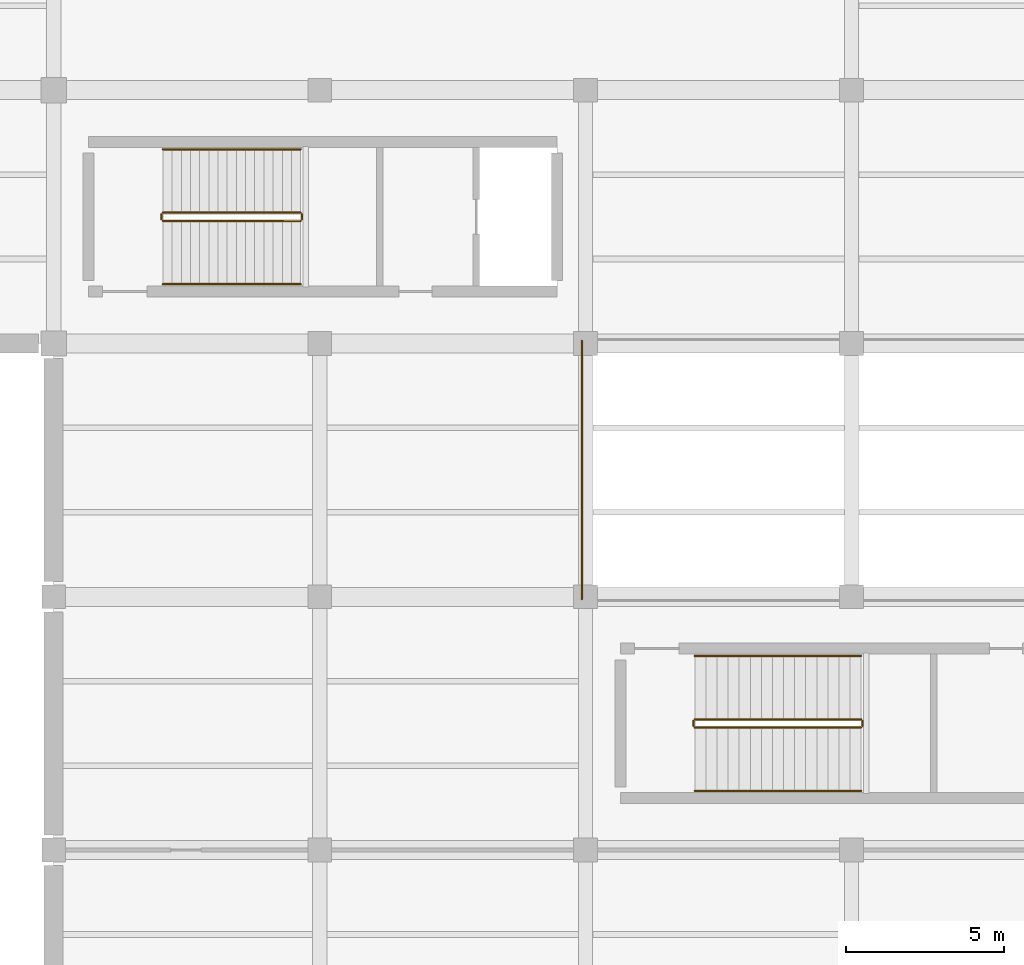
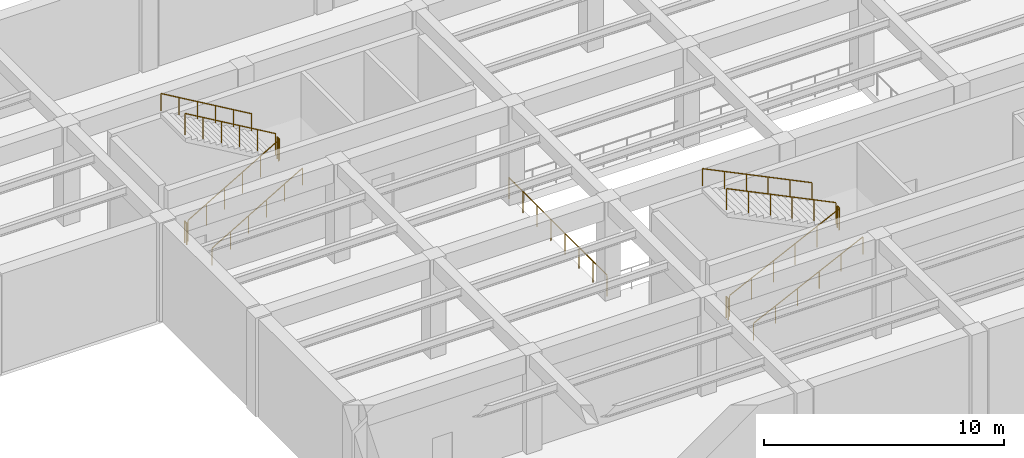
# One storey, part 11 of 16: 13 railings.
"""IFC4 building model written with IfcOpenShell, lengths in metres."""

from ifc_helpers import new_model, si_unit, direction, frame, origin, origin_2d, place, context, subcontext, project, spatial, circle, extrude, material, type_object, element, save


model = new_model("IFC4")

# Units and contexts
model_context = context("Model", 3, precision=1e-05, world=origin(), true_north=direction((0.0, 1.0)))
body_context = subcontext(model_context, "Body", "Model", "MODEL_VIEW")
ifc_project = project(units=[si_unit("LENGTHUNIT", "METRE"), si_unit("AREAUNIT", "SQUARE_METRE"), si_unit("VOLUMEUNIT", "CUBIC_METRE"), si_unit("PLANEANGLEUNIT", "RADIAN"), si_unit("MASSUNIT", "GRAM", prefix="KILO")], contexts=[model_context])

# Site, building, storey
site_placement = place(None, origin())
site = spatial("IfcSite", under=ifc_project, at=site_placement, CompositionType="ELEMENT")
building_placement = place(site_placement, origin())
building = spatial("IfcBuilding", under=site, at=building_placement, Name="Kranzveld Transit Interchange", CompositionType="ELEMENT")
storey_placement = place(building_placement, frame((0.0, 0.0, -5.43994140625)))
storey = spatial("IfcBuildingStorey", under=building, at=storey_placement, Name="B1", CompositionType="ELEMENT", Elevation=-5.43994140625)

# Railings
ifc_material_1 = material(Name="Steel S355JR", Category="steel")
railing_type_1 = type_object("IfcRailingType", Name="Atrium Void Guardrail 1100", PredefinedType="GUARDRAIL", material=ifc_material_1)
railing_1_placement = place(storey_placement, frame((50.280029296875, 48.080078125, 0.0)))
element("IfcRailing", 1, at=railing_1_placement, inside=storey, type_object=railing_type_1, Name="B1 Atrium Void Guardrail VOID_B1_METRO_W-15", PredefinedType="GUARDRAIL", context=body_context, shape_type="SweptSolid", body=[
    extrude(circle(Radius=0.02392578125, at=origin_2d()), frame((0.0, 0.0, 1.076171875), z_axis=(0.0, -1.0, 0.0), x_axis=(1.0, 0.0, 0.0)), (0.0, 0.0, 1.0), 8.16015625),
    extrude(circle(Radius=0.02099609375, at=origin_2d()), origin(), (0.0, 0.0, 1.0), 1.050048828125),
    extrude(circle(Radius=0.02099609375, at=origin_2d()), frame((0.0, -1.165771484375, 0.0)), (0.0, 0.0, 1.0), 1.050048828125),
    extrude(circle(Radius=0.02099609375, at=origin_2d()), frame((0.0, -2.33154296875, 0.0)), (0.0, 0.0, 1.0), 1.050048828125),
    extrude(circle(Radius=0.02099609375, at=origin_2d()), frame((0.0, -3.497314453125, 0.0)), (0.0, 0.0, 1.0), 1.050048828125),
    extrude(circle(Radius=0.02099609375, at=origin_2d()), frame((0.0, -4.662841796875, 0.0)), (0.0, 0.0, 1.0), 1.050048828125),
    extrude(circle(Radius=0.02099609375, at=origin_2d()), frame((0.0, -5.82861328125, 0.0)), (0.0, 0.0, 1.0), 1.050048828125),
    extrude(circle(Radius=0.02099609375, at=origin_2d()), frame((0.0, -6.994384765625, 0.0)), (0.0, 0.0, 1.0), 1.050048828125),
    extrude(circle(Radius=0.02099609375, at=origin_2d()), frame((0.0, -8.16015625, 0.0)), (0.0, 0.0, 1.0), 1.050048828125),
])
ifc_material_2 = material(Name="Steel S355JR", Category="steel")
railing_type_2 = type_object("IfcRailingType", Name="Stair & Ramp Handrail Steel 900", PredefinedType="HANDRAIL", material=ifc_material_2)
railing_2_placement = place(storey_placement, frame((37.050048828125, 49.8701171875, 0.169921875)))
element("IfcRailing", 2, at=railing_2_placement, inside=storey, type_object=railing_type_2, Name="B1 ST-M1 stair handrail 1", PredefinedType="HANDRAIL", context=body_context, shape_type="SweptSolid", body=[
    extrude(circle(Radius=0.02392578125, at=origin_2d()), frame((0.0, 0.0, 0.8759765625), z_axis=(0.862686314962, 0.0, 0.505739381477), x_axis=(0.0, 1.0, 0.0)), (0.0, 0.0, 1.0), 5.042236328125),
    extrude(circle(Radius=0.02099609375, at=origin_2d()), origin(), (0.0, 0.0, 1.0), 0.849853515625),
    extrude(circle(Radius=0.02099609375, at=origin_2d()), frame((0.869873046875, 0.0, 0.510009765625)), (0.0, 0.0, 1.0), 0.849853515625),
    extrude(circle(Radius=0.02099609375, at=origin_2d()), frame((1.739990234375, 0.0, 1.02001953125)), (0.0, 0.0, 1.0), 0.849853515625),
    extrude(circle(Radius=0.02099609375, at=origin_2d()), frame((2.60986328125, 0.0, 1.530029296875)), (0.0, 0.0, 1.0), 0.849853515625),
    extrude(circle(Radius=0.02099609375, at=origin_2d()), frame((3.47998046875, 0.0, 2.0400390625)), (0.0, 0.0, 1.0), 0.849853515625),
    extrude(circle(Radius=0.02099609375, at=origin_2d()), frame((4.349853515625, 0.0, 2.550048828125)), (0.0, 0.0, 1.0), 0.849853515625),
])
railing_3_placement = place(storey_placement, frame((41.39990234375, 54.1298828125, 2.889892578125)))
element("IfcRailing", 3, at=railing_3_placement, inside=storey, type_object=railing_type_2, Name="B1 ST-M1 stair handrail 2", PredefinedType="HANDRAIL", context=body_context, shape_type="SweptSolid", body=[
    extrude(circle(Radius=0.02392578125, at=origin_2d()), frame((0.0, 0.0, 0.8759765625), z_axis=(-0.862686314962, 0.0, 0.505739381477), x_axis=(0.0, -1.0, 0.0)), (0.0, 0.0, 1.0), 5.042236328125),
    extrude(circle(Radius=0.02099609375, at=origin_2d()), origin(), (0.0, 0.0, 1.0), 0.849853515625),
    extrude(circle(Radius=0.02099609375, at=origin_2d()), frame((-0.869873046875, 0.0, 0.510009765625)), (0.0, 0.0, 1.0), 0.849853515625),
    extrude(circle(Radius=0.02099609375, at=origin_2d()), frame((-1.739990234375, 0.0, 1.02001953125)), (0.0, 0.0, 1.0), 0.849853515625),
    extrude(circle(Radius=0.02099609375, at=origin_2d()), frame((-2.60986328125, 0.0, 1.530029296875)), (0.0, 0.0, 1.0), 0.849853515625),
    extrude(circle(Radius=0.02099609375, at=origin_2d()), frame((-3.47998046875, 0.0, 2.0400390625)), (0.0, 0.0, 1.0), 0.849853515625),
    extrude(circle(Radius=0.02099609375, at=origin_2d()), frame((-4.349853515625, 0.0, 2.550048828125)), (0.0, 0.0, 1.0), 0.849853515625),
])
railing_4_placement = place(storey_placement, frame((53.85009765625, 33.8701171875, 0.169921875)))
element("IfcRailing", 4, at=railing_4_placement, inside=storey, type_object=railing_type_2, Name="B1 ST-M2 stair handrail 1", PredefinedType="HANDRAIL", context=body_context, shape_type="SweptSolid", body=[
    extrude(circle(Radius=0.02392578125, at=origin_2d()), frame((0.0, 0.0, 0.8759765625), z_axis=(0.899504870751, 0.0, 0.436910731724), x_axis=(0.0, 1.0, 0.0)), (0.0, 0.0, 1.0), 5.83642578125),
    extrude(circle(Radius=0.02099609375, at=origin_2d()), origin(), (0.0, 0.0, 1.0), 0.849853515625),
    extrude(circle(Radius=0.02099609375, at=origin_2d()), frame((1.050048828125, 0.0, 0.510009765625)), (0.0, 0.0, 1.0), 0.849853515625),
    extrude(circle(Radius=0.02099609375, at=origin_2d()), frame((2.10009765625, 0.0, 1.02001953125)), (0.0, 0.0, 1.0), 0.849853515625),
    extrude(circle(Radius=0.02099609375, at=origin_2d()), frame((3.14990234375, 0.0, 1.530029296875)), (0.0, 0.0, 1.0), 0.849853515625),
    extrude(circle(Radius=0.02099609375, at=origin_2d()), frame((4.199951171875, 0.0, 2.0400390625)), (0.0, 0.0, 1.0), 0.849853515625),
    extrude(circle(Radius=0.02099609375, at=origin_2d()), frame((5.25, 0.0, 2.550048828125)), (0.0, 0.0, 1.0), 0.849853515625),
])
railing_5_placement = place(storey_placement, frame((59.10009765625, 38.1298828125, 2.889892578125)))
element("IfcRailing", 5, at=railing_5_placement, inside=storey, type_object=railing_type_2, Name="B1 ST-M2 stair handrail 2", PredefinedType="HANDRAIL", context=body_context, shape_type="SweptSolid", body=[
    extrude(circle(Radius=0.02392578125, at=origin_2d()), frame((0.0, 0.0, 0.8759765625), z_axis=(-0.899504870751, 0.0, 0.436910731724), x_axis=(0.0, -1.0, 0.0)), (0.0, 0.0, 1.0), 5.83642578125),
    extrude(circle(Radius=0.02099609375, at=origin_2d()), origin(), (0.0, 0.0, 1.0), 0.849853515625),
    extrude(circle(Radius=0.02099609375, at=origin_2d()), frame((-1.050048828125, 0.0, 0.510009765625)), (0.0, 0.0, 1.0), 0.849853515625),
    extrude(circle(Radius=0.02099609375, at=origin_2d()), frame((-2.10009765625, 0.0, 1.02001953125)), (0.0, 0.0, 1.0), 0.849853515625),
    extrude(circle(Radius=0.02099609375, at=origin_2d()), frame((-3.14990234375, 0.0, 1.530029296875)), (0.0, 0.0, 1.0), 0.849853515625),
    extrude(circle(Radius=0.02099609375, at=origin_2d()), frame((-4.199951171875, 0.0, 2.0400390625)), (0.0, 0.0, 1.0), 0.849853515625),
    extrude(circle(Radius=0.02099609375, at=origin_2d()), frame((-5.25, 0.0, 2.550048828125)), (0.0, 0.0, 1.0), 0.849853515625),
])
ifc_material_3 = material(Name="Steel S355JR", Category="steel")
railing_type_3 = type_object("IfcRailingType", Name="Stair Well Guardrail Steel 1100", PredefinedType="GUARDRAIL", material=ifc_material_3)
railing_6_placement = place(storey_placement, frame((37.050048828125, 51.8701171875, 0.169921875)))
element("IfcRailing", 6, at=railing_6_placement, inside=storey, type_object=railing_type_3, Name="B1 ST-M1 stair guard 1", PredefinedType="GUARDRAIL", context=body_context, shape_type="SweptSolid", body=[
    extrude(circle(Radius=0.02392578125, at=origin_2d()), frame((0.0, 0.0, 1.076171875), z_axis=(0.862686314962, 0.0, 0.505739381477), x_axis=(0.0, 1.0, 0.0)), (0.0, 0.0, 1.0), 5.042236328125),
    extrude(circle(Radius=0.02099609375, at=origin_2d()), origin(), (0.0, 0.0, 1.0), 1.050048828125),
    extrude(circle(Radius=0.02099609375, at=origin_2d()), frame((0.869873046875, 0.0, 0.510009765625)), (0.0, 0.0, 1.0), 1.050048828125),
    extrude(circle(Radius=0.02099609375, at=origin_2d()), frame((1.739990234375, 0.0, 1.02001953125)), (0.0, 0.0, 1.0), 1.050048828125),
    extrude(circle(Radius=0.02099609375, at=origin_2d()), frame((2.60986328125, 0.0, 1.530029296875)), (0.0, 0.0, 1.0), 1.050048828125),
    extrude(circle(Radius=0.02099609375, at=origin_2d()), frame((3.47998046875, 0.0, 2.0400390625)), (0.0, 0.0, 1.0), 1.050048828125),
    extrude(circle(Radius=0.02099609375, at=origin_2d()), frame((4.349853515625, 0.0, 2.550048828125)), (0.0, 0.0, 1.0), 1.050048828125),
])
railing_7_placement = place(storey_placement, frame((41.449951171875, 51.919921875, 2.719970703125)))
element("IfcRailing", 7, at=railing_7_placement, inside=storey, type_object=railing_type_3, Name="B1 ST-M1 stair guard 2", PredefinedType="GUARDRAIL", context=body_context, shape_type="SweptSolid", body=[
    extrude(circle(Radius=0.02392578125, at=origin_2d()), frame((0.0, 0.0, 1.076171875), z_axis=(0.0, 1.0, 0.0), x_axis=(-1.0, 0.0, 0.0)), (0.0, 0.0, 1.0), 0.16015625),
    extrude(circle(Radius=0.02099609375, at=origin_2d()), origin(), (0.0, 0.0, 1.0), 1.050048828125),
    extrude(circle(Radius=0.02099609375, at=origin_2d()), frame((0.0, 0.16015625, 0.0)), (0.0, 0.0, 1.0), 1.050048828125),
])
railing_8_placement = place(storey_placement, frame((41.39990234375, 52.1298828125, 2.889892578125)))
element("IfcRailing", 8, at=railing_8_placement, inside=storey, type_object=railing_type_3, Name="B1 ST-M1 stair guard 3", PredefinedType="GUARDRAIL", context=body_context, shape_type="SweptSolid", body=[
    extrude(circle(Radius=0.02392578125, at=origin_2d()), frame((0.0, 0.0, 1.076171875), z_axis=(-0.862686314962, 0.0, 0.505739381477), x_axis=(0.0, -1.0, 0.0)), (0.0, 0.0, 1.0), 5.042236328125),
    extrude(circle(Radius=0.02099609375, at=origin_2d()), origin(), (0.0, 0.0, 1.0), 1.050048828125),
    extrude(circle(Radius=0.02099609375, at=origin_2d()), frame((-0.869873046875, 0.0, 0.510009765625)), (0.0, 0.0, 1.0), 1.050048828125),
    extrude(circle(Radius=0.02099609375, at=origin_2d()), frame((-1.739990234375, 0.0, 1.02001953125)), (0.0, 0.0, 1.0), 1.050048828125),
    extrude(circle(Radius=0.02099609375, at=origin_2d()), frame((-2.60986328125, 0.0, 1.530029296875)), (0.0, 0.0, 1.0), 1.050048828125),
    extrude(circle(Radius=0.02099609375, at=origin_2d()), frame((-3.47998046875, 0.0, 2.0400390625)), (0.0, 0.0, 1.0), 1.050048828125),
    extrude(circle(Radius=0.02099609375, at=origin_2d()), frame((-4.349853515625, 0.0, 2.550048828125)), (0.0, 0.0, 1.0), 1.050048828125),
])
railing_9_placement = place(storey_placement, frame((37.0, 51.919921875, 0.0)))
element("IfcRailing", 9, at=railing_9_placement, inside=storey, type_object=railing_type_3, Name="B1 ST-M1 stair guard 4", PredefinedType="GUARDRAIL", context=body_context, shape_type="SweptSolid", body=[
    extrude(circle(Radius=0.02392578125, at=origin_2d()), frame((0.0, 0.0, 1.076171875), z_axis=(0.0, 1.0, 0.0), x_axis=(-1.0, 0.0, 0.0)), (0.0, 0.0, 1.0), 0.16015625),
    extrude(circle(Radius=0.02099609375, at=origin_2d()), origin(), (0.0, 0.0, 1.0), 1.050048828125),
    extrude(circle(Radius=0.02099609375, at=origin_2d()), frame((0.0, 0.16015625, 0.0)), (0.0, 0.0, 1.0), 1.050048828125),
])
railing_10_placement = place(storey_placement, frame((53.85009765625, 35.8701171875, 0.169921875)))
element("IfcRailing", 10, at=railing_10_placement, inside=storey, type_object=railing_type_3, Name="B1 ST-M2 stair guard 1", PredefinedType="GUARDRAIL", context=body_context, shape_type="SweptSolid", body=[
    extrude(circle(Radius=0.02392578125, at=origin_2d()), frame((0.0, 0.0, 1.076171875), z_axis=(0.899504870751, 0.0, 0.436910731724), x_axis=(0.0, 1.0, 0.0)), (0.0, 0.0, 1.0), 5.83642578125),
    extrude(circle(Radius=0.02099609375, at=origin_2d()), origin(), (0.0, 0.0, 1.0), 1.050048828125),
    extrude(circle(Radius=0.02099609375, at=origin_2d()), frame((1.050048828125, 0.0, 0.510009765625)), (0.0, 0.0, 1.0), 1.050048828125),
    extrude(circle(Radius=0.02099609375, at=origin_2d()), frame((2.10009765625, 0.0, 1.02001953125)), (0.0, 0.0, 1.0), 1.050048828125),
    extrude(circle(Radius=0.02099609375, at=origin_2d()), frame((3.14990234375, 0.0, 1.530029296875)), (0.0, 0.0, 1.0), 1.050048828125),
    extrude(circle(Radius=0.02099609375, at=origin_2d()), frame((4.199951171875, 0.0, 2.0400390625)), (0.0, 0.0, 1.0), 1.050048828125),
    extrude(circle(Radius=0.02099609375, at=origin_2d()), frame((5.25, 0.0, 2.550048828125)), (0.0, 0.0, 1.0), 1.050048828125),
])
railing_11_placement = place(storey_placement, frame((59.14990234375, 35.919921875, 2.719970703125)))
element("IfcRailing", 11, at=railing_11_placement, inside=storey, type_object=railing_type_3, Name="B1 ST-M2 stair guard 2", PredefinedType="GUARDRAIL", context=body_context, shape_type="SweptSolid", body=[
    extrude(circle(Radius=0.02392578125, at=origin_2d()), frame((0.0, 0.0, 1.076171875), z_axis=(0.0, 1.0, 0.0), x_axis=(-1.0, 0.0, 0.0)), (0.0, 0.0, 1.0), 0.16015625),
    extrude(circle(Radius=0.02099609375, at=origin_2d()), origin(), (0.0, 0.0, 1.0), 1.050048828125),
    extrude(circle(Radius=0.02099609375, at=origin_2d()), frame((0.0, 0.16015625, 0.0)), (0.0, 0.0, 1.0), 1.050048828125),
])
railing_12_placement = place(storey_placement, frame((59.10009765625, 36.1298828125, 2.889892578125)))
element("IfcRailing", 12, at=railing_12_placement, inside=storey, type_object=railing_type_3, Name="B1 ST-M2 stair guard 3", PredefinedType="GUARDRAIL", context=body_context, shape_type="SweptSolid", body=[
    extrude(circle(Radius=0.02392578125, at=origin_2d()), frame((0.0, 0.0, 1.076171875), z_axis=(-0.899504870751, 0.0, 0.436910731724), x_axis=(0.0, -1.0, 0.0)), (0.0, 0.0, 1.0), 5.83642578125),
    extrude(circle(Radius=0.02099609375, at=origin_2d()), origin(), (0.0, 0.0, 1.0), 1.050048828125),
    extrude(circle(Radius=0.02099609375, at=origin_2d()), frame((-1.050048828125, 0.0, 0.510009765625)), (0.0, 0.0, 1.0), 1.050048828125),
    extrude(circle(Radius=0.02099609375, at=origin_2d()), frame((-2.10009765625, 0.0, 1.02001953125)), (0.0, 0.0, 1.0), 1.050048828125),
    extrude(circle(Radius=0.02099609375, at=origin_2d()), frame((-3.14990234375, 0.0, 1.530029296875)), (0.0, 0.0, 1.0), 1.050048828125),
    extrude(circle(Radius=0.02099609375, at=origin_2d()), frame((-4.199951171875, 0.0, 2.0400390625)), (0.0, 0.0, 1.0), 1.050048828125),
    extrude(circle(Radius=0.02099609375, at=origin_2d()), frame((-5.25, 0.0, 2.550048828125)), (0.0, 0.0, 1.0), 1.050048828125),
])
railing_13_placement = place(storey_placement, frame((53.800048828125, 35.919921875, 0.0)))
element("IfcRailing", 13, at=railing_13_placement, inside=storey, type_object=railing_type_3, Name="B1 ST-M2 stair guard 4", PredefinedType="GUARDRAIL", context=body_context, shape_type="SweptSolid", body=[
    extrude(circle(Radius=0.02392578125, at=origin_2d()), frame((0.0, 0.0, 1.076171875), z_axis=(0.0, 1.0, 0.0), x_axis=(-1.0, 0.0, 0.0)), (0.0, 0.0, 1.0), 0.16015625),
    extrude(circle(Radius=0.02099609375, at=origin_2d()), origin(), (0.0, 0.0, 1.0), 1.050048828125),
    extrude(circle(Radius=0.02099609375, at=origin_2d()), frame((0.0, 0.16015625, 0.0)), (0.0, 0.0, 1.0), 1.050048828125),
])

save(model, "model.ifc")
